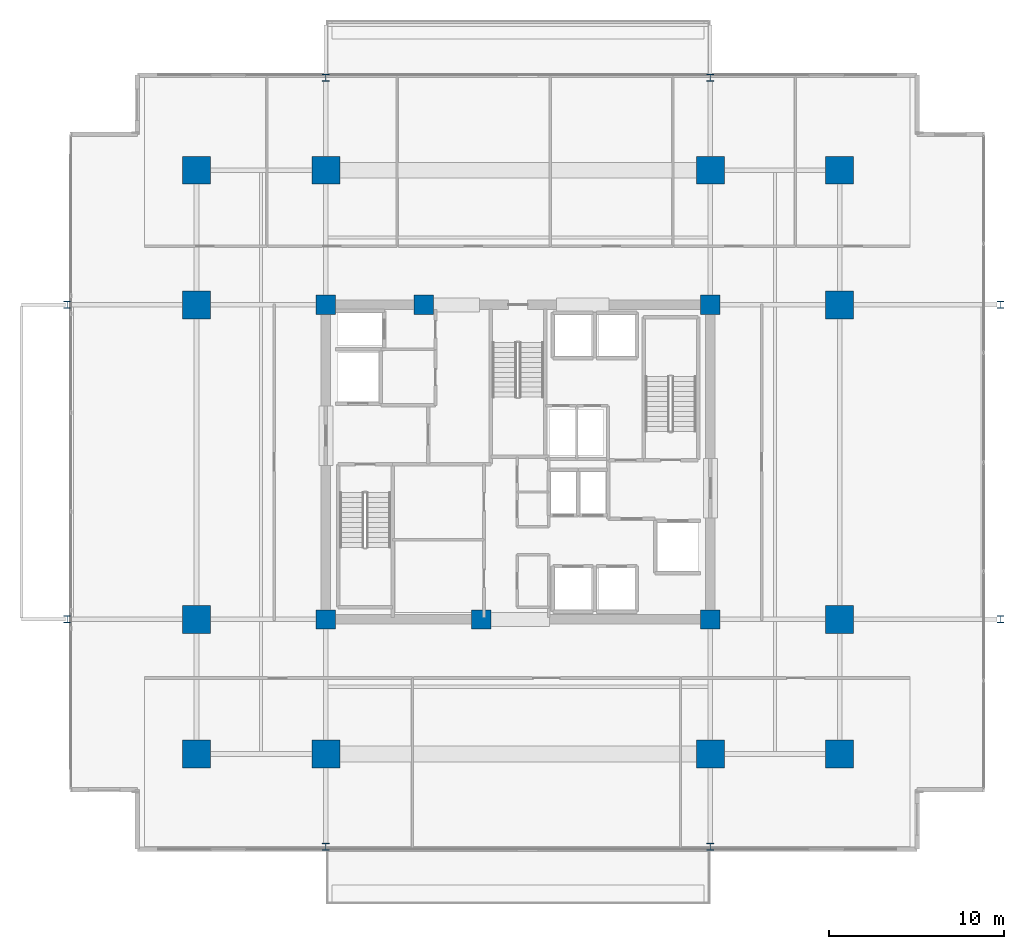
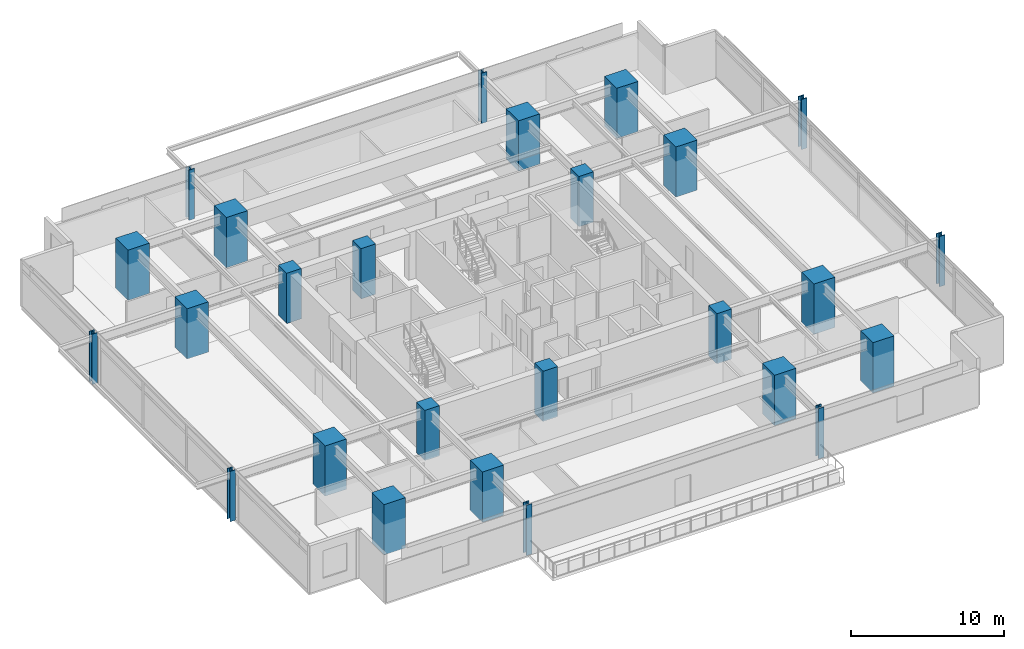
# One storey, part 1 of 22: 26 columns.
"""IFC4 building model written with IfcOpenShell, lengths in metres."""

from ifc_helpers import new_model, si_unit, direction, frame, origin, origin_2d, place, context, subcontext, project, spatial, rectangle, i_section, extrude, material, material_profile, profile_set, type_object, element, save


model = new_model("IFC4")

# Units and contexts
model_context = context("Model", 3, precision=1e-05, world=origin(), true_north=direction((0.0, 1.0)))
body_context = subcontext(model_context, "Body", "Model", "MODEL_VIEW")
ifc_project = project(units=[si_unit("LENGTHUNIT", "METRE"), si_unit("AREAUNIT", "SQUARE_METRE"), si_unit("VOLUMEUNIT", "CUBIC_METRE"), si_unit("PLANEANGLEUNIT", "RADIAN"), si_unit("MASSUNIT", "GRAM", prefix="KILO")], contexts=[model_context])

# Site, building, storey
site_placement = place(None, origin())
site = spatial("IfcSite", under=ifc_project, at=site_placement, CompositionType="ELEMENT")
building_placement = place(site_placement, origin())
building = spatial("IfcBuilding", under=site, at=building_placement, Name="Kovane Verandah Tower", CompositionType="ELEMENT")
storey_placement = place(building_placement, frame((0.0, 0.0, 156.39990234375)))
storey = spatial("IfcBuildingStorey", under=building, at=storey_placement, Name="L36", CompositionType="ELEMENT", Elevation=156.39990234375)

# Columns
ifc_material_1 = material(Name="Concrete C80/95", Category="concrete")
ifc_material_profile_1 = material_profile(ifc_material_1, rectangle(XDim=1.60009765625, YDim=1.60009765625, at=origin_2d()), Name="RC1600x1600")
ifc_profile_set_1 = profile_set([ifc_material_profile_1], Name="Concrete C80/95")
column_type_1 = type_object("IfcColumnType", Name="COL-RC1600", PredefinedType="COLUMN", material=ifc_profile_set_1)
for number, where, z_axis, x_axis, name in (
    (1, (29.0, 10.800048828125, 0.0), (0.0, 0.0, 1.0), (1.0, 0.0, 0.0), "L36 Tower Mega-Column MC-S1"),
    (2, (51.0, 10.800048828125, 0.0), (0.0, 0.0, 1.0), (1.0, 0.0, 0.0), "L36 Tower Mega-Column MC-S2"),
    (3, (29.0, 44.199951171875, 0.0), (0.0, 0.0, 1.0), (1.0, 0.0, 0.0), "L36 Tower Mega-Column MC-N1"),
    (4, (51.0, 44.199951171875, 0.0), (0.0, 0.0, 1.0), (1.0, 0.0, 0.0), "L36 Tower Mega-Column MC-N2"),
    (5, (21.60009765625, 18.5, 0.0), (0.0, 0.0, 1.0), (1.0, 0.0, 0.0), "L36 Tower Mega-Column MC-W1"),
    (6, (21.60009765625, 36.5, 0.0), (0.0, 0.0, 1.0), (1.0, 0.0, 0.0), "L36 Tower Mega-Column MC-W2"),
    (7, (58.39990234375, 18.5, 0.0), (0.0, 0.0, 1.0), (1.0, 0.0, 0.0), "L36 Tower Mega-Column MC-E1"),
    (8, (58.39990234375, 36.5, 0.0), (0.0, 0.0, 1.0), (1.0, 0.0, 0.0), "L36 Tower Mega-Column MC-E2"),
    (9, (21.60009765625, 10.800048828125, 0.0), (0.0, 0.0, 1.0), (1.0, 0.0, 0.0), "L36 Tower Mega-Column MC-SW"),
    (10, (58.39990234375, 10.800048828125, 0.0), (0.0, 0.0, 1.0), (1.0, 0.0, 0.0), "L36 Tower Mega-Column MC-SE"),
    (11, (21.60009765625, 44.199951171875, 0.0), (0.0, 0.0, 1.0), (1.0, 0.0, 0.0), "L36 Tower Mega-Column MC-NW"),
    (12, (58.39990234375, 44.199951171875, 0.0), (0.0, 0.0, 1.0), (1.0, 0.0, 0.0), "L36 Tower Mega-Column MC-NE"),
):
    element("IfcColumn", number, at=place(storey_placement, frame(where, z_axis=z_axis, x_axis=x_axis)), inside=storey, type_object=column_type_1, Name=name, PredefinedType="COLUMN", context=body_context, shape_type="SweptSolid", body=[
        extrude(rectangle(XDim=1.60009765625, YDim=1.60009765625, at=origin_2d()), origin(), (0.0, 0.0, 1.0), 4.0),
    ])
ifc_material_2 = material(Name="Steel S460", Category="steel")
ifc_material_profile_2 = material_profile(ifc_material_2, i_section(OverallWidth=0.412109375, OverallDepth=0.4365234375, WebThickness=0.035888671875, FlangeThickness=0.05810546875, FilletRadius=0.01513671875, at=origin_2d()), Name="UC356x406x467")
ifc_profile_set_2 = profile_set([ifc_material_profile_2], Name="Steel S460")
column_type_2 = type_object("IfcColumnType", Name="COL-UC467", PredefinedType="COLUMN", material=ifc_profile_set_2)
for number, where, z_axis, x_axis, name in (
    (13, (14.199951171875, 18.5, 0.0), (0.0, 0.0, 1.0), (1.0, 0.0, 0.0), "L36 Verandah Perimeter Column VC-W1"),
    (14, (14.199951171875, 36.5, 0.0), (0.0, 0.0, 1.0), (1.0, 0.0, 0.0), "L36 Verandah Perimeter Column VC-W2"),
    (15, (67.60009765625, 18.5, 0.0), (0.0, 0.0, 1.0), (1.0, 0.0, 0.0), "L36 Verandah Perimeter Column VC-E1"),
    (16, (67.60009765625, 36.5, 0.0), (0.0, 0.0, 1.0), (1.0, 0.0, 0.0), "L36 Verandah Perimeter Column VC-E2"),
    (17, (29.0, 5.5, 0.0), (0.0, 0.0, 1.0), (1.0, 0.0, 0.0), "L36 Verandah Perimeter Column VC-S1"),
    (18, (51.0, 5.5, 0.0), (0.0, 0.0, 1.0), (1.0, 0.0, 0.0), "L36 Verandah Perimeter Column VC-S2"),
    (19, (29.0, 49.5, 0.0), (0.0, 0.0, 1.0), (1.0, 0.0, 0.0), "L36 Verandah Perimeter Column VC-N1"),
    (20, (51.0, 49.5, 0.0), (0.0, 0.0, 1.0), (1.0, 0.0, 0.0), "L36 Verandah Perimeter Column VC-N2"),
):
    element("IfcColumn", number, at=place(storey_placement, frame(where, z_axis=z_axis, x_axis=x_axis)), inside=storey, type_object=column_type_2, Name=name, PredefinedType="COLUMN", context=body_context, shape_type="SweptSolid", body=[
        extrude(i_section(OverallWidth=0.412109375, OverallDepth=0.4365234375, WebThickness=0.035888671875, FlangeThickness=0.05810546875, FilletRadius=0.01513671875, at=origin_2d()), origin(), (0.0, 0.0, 1.0), 4.0),
    ])
ifc_material_profile_3 = material_profile(ifc_material_1, rectangle(XDim=1.10009765625, YDim=1.10009765625, at=origin_2d()), Name="RC1100x1100")
ifc_profile_set_3 = profile_set([ifc_material_profile_3], Name="Concrete C80/95")
column_type_3 = type_object("IfcColumnType", Name="PIL-RC1100", PredefinedType="PILASTER", material=ifc_profile_set_3)
for number, where, z_axis, x_axis, name in (
    (21, (29.0, 18.5, 0.0), (0.0, 0.0, 1.0), (1.0, 0.0, 0.0), "L36 Core Pilaster CP-SW"),
    (22, (51.0, 18.5, 0.0), (0.0, 0.0, 1.0), (1.0, 0.0, 0.0), "L36 Core Pilaster CP-SE"),
    (23, (29.0, 36.5, 0.0), (0.0, 0.0, 1.0), (1.0, 0.0, 0.0), "L36 Core Pilaster CP-NW"),
    (24, (51.0, 36.5, 0.0), (0.0, 0.0, 1.0), (1.0, 0.0, 0.0), "L36 Core Pilaster CP-NE"),
    (25, (37.89990234375, 18.5, 0.0), (0.0, 0.0, 1.0), (1.0, 0.0, 0.0), "L36 Core Pilaster CP-S"),
    (26, (34.60009765625, 36.5, 0.0), (0.0, 0.0, 1.0), (1.0, 0.0, 0.0), "L36 Core Pilaster CP-N"),
):
    element("IfcColumn", number, at=place(storey_placement, frame(where, z_axis=z_axis, x_axis=x_axis)), inside=storey, type_object=column_type_3, Name=name, PredefinedType="PILASTER", context=body_context, shape_type="SweptSolid", body=[
        extrude(rectangle(XDim=1.10009765625, YDim=1.10009765625, at=origin_2d()), origin(), (0.0, 0.0, 1.0), 4.0),
    ])

save(model, "model.ifc")
